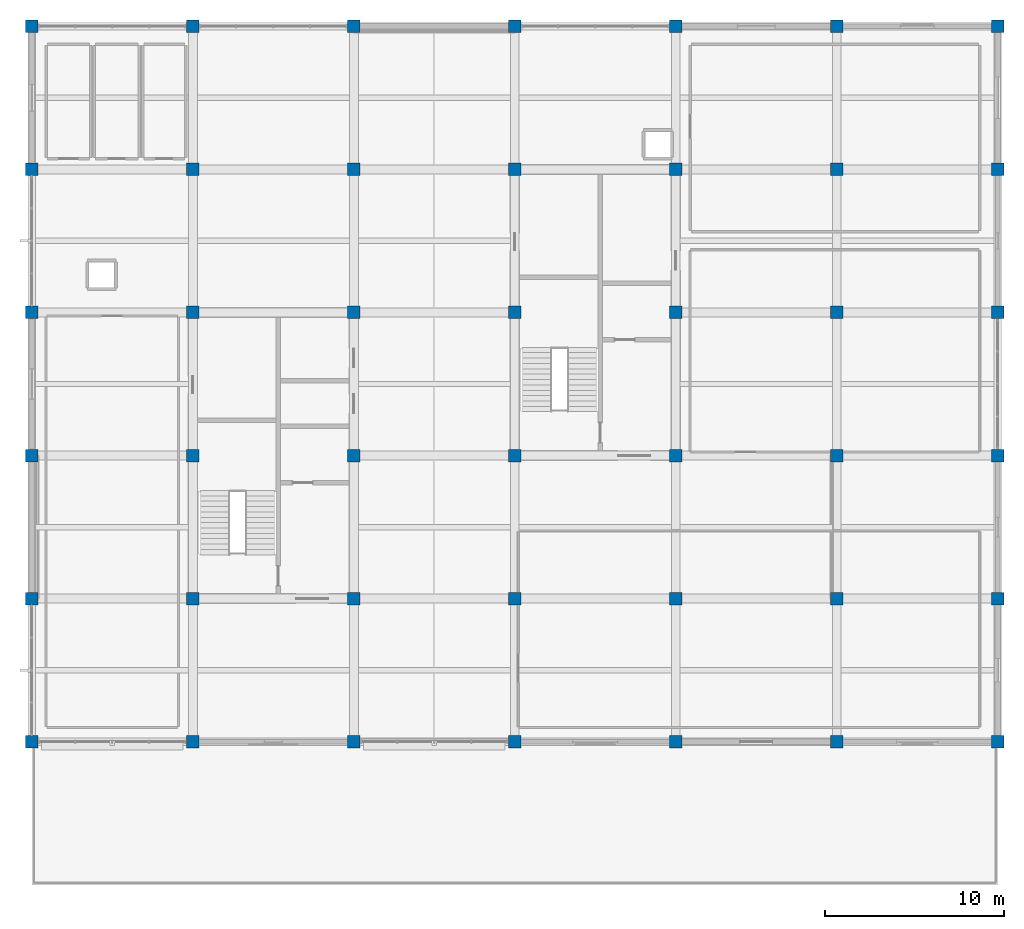
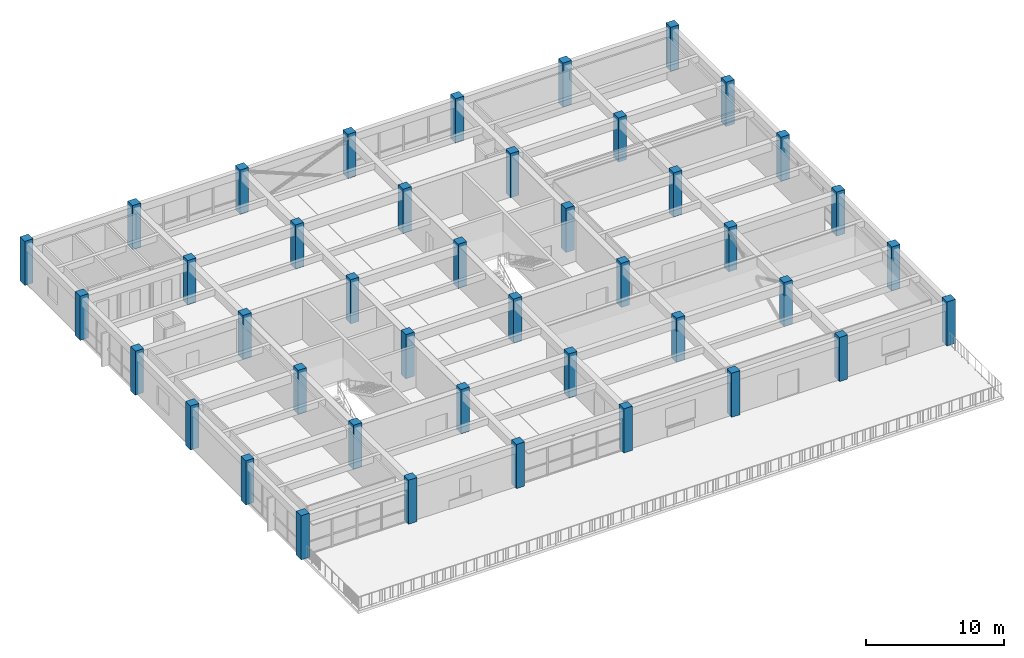
# One storey, part 1 of 14: 42 columns.
"""IFC4 building model written with IfcOpenShell, lengths in metres."""

from ifc_helpers import new_model, si_unit, direction, frame, origin, origin_2d, place, context, subcontext, project, spatial, rectangle, extrude, material, material_profile, profile_set, type_object, element, save


model = new_model("IFC4")

# Units and contexts
model_context = context("Model", 3, precision=1e-05, world=origin(), true_north=direction((0.0, 1.0)))
body_context = subcontext(model_context, "Body", "Model", "MODEL_VIEW")
ifc_project = project(units=[si_unit("LENGTHUNIT", "METRE"), si_unit("AREAUNIT", "SQUARE_METRE"), si_unit("VOLUMEUNIT", "CUBIC_METRE"), si_unit("PLANEANGLEUNIT", "RADIAN"), si_unit("MASSUNIT", "GRAM", prefix="KILO")], contexts=[model_context])

# Site, building, storey
site_placement = place(None, origin())
site = spatial("IfcSite", under=ifc_project, at=site_placement, CompositionType="ELEMENT")
building_placement = place(site_placement, origin())
building = spatial("IfcBuilding", under=site, at=building_placement, Name="Zaverband Oceanarium and Marine Research Institute", CompositionType="ELEMENT")
storey_placement = place(building_placement, frame((0.0, 0.0, 57.0)))
storey = spatial("IfcBuildingStorey", under=building, at=storey_placement, Name="L14", CompositionType="ELEMENT", Elevation=57.0)

# Columns
ifc_material = material(Name="Concrete C50/60", Category="concrete")
ifc_material_profile = material_profile(ifc_material, rectangle(XDim=0.699951171875, YDim=0.699951171875, at=origin_2d()), Name="RC700x700")
ifc_profile_set = profile_set([ifc_material_profile], Name="Concrete C50/60")
column_type = type_object("IfcColumnType", Name="COL-C700", PredefinedType="COLUMN", material=ifc_profile_set)
for number, where, z_axis, x_axis, name in (
    (1, (9.0, 72.0, 0.0), (0.0, 0.0, 1.0), (1.0, 0.0, 0.0), "Reinforced concrete column RC700x700 COL-C700"),
    (2, (9.0, 80.0, 0.0), (0.0, 0.0, 1.0), (1.0, 0.0, 0.0), "Reinforced concrete column RC700x700 COL-C700"),
    (3, (9.0, 88.0, 0.0), (0.0, 0.0, 1.0), (1.0, 0.0, 0.0), "Reinforced concrete column RC700x700 COL-C700"),
    (4, (9.0, 96.0, 0.0), (0.0, 0.0, 1.0), (1.0, 0.0, 0.0), "Reinforced concrete column RC700x700 COL-C700"),
    (5, (9.0, 104.0, 0.0), (0.0, 0.0, 1.0), (1.0, 0.0, 0.0), "Reinforced concrete column RC700x700 COL-C700"),
    (6, (9.0, 112.0, 0.0), (0.0, 0.0, 1.0), (1.0, 0.0, 0.0), "Reinforced concrete column RC700x700 COL-C700"),
    (7, (18.0, 72.0, 0.0), (0.0, 0.0, 1.0), (1.0, 0.0, 0.0), "Reinforced concrete column RC700x700 COL-C700"),
    (8, (18.0, 80.0, 0.0), (0.0, 0.0, 1.0), (1.0, 0.0, 0.0), "Reinforced concrete column RC700x700 COL-C700"),
    (9, (18.0, 88.0, 0.0), (0.0, 0.0, 1.0), (1.0, 0.0, 0.0), "Reinforced concrete column RC700x700 COL-C700"),
    (10, (18.0, 96.0, 0.0), (0.0, 0.0, 1.0), (1.0, 0.0, 0.0), "Reinforced concrete column RC700x700 COL-C700"),
    (11, (18.0, 104.0, 0.0), (0.0, 0.0, 1.0), (1.0, 0.0, 0.0), "Reinforced concrete column RC700x700 COL-C700"),
    (12, (18.0, 112.0, 0.0), (0.0, 0.0, 1.0), (1.0, 0.0, 0.0), "Reinforced concrete column RC700x700 COL-C700"),
    (13, (27.0, 72.0, 0.0), (0.0, 0.0, 1.0), (1.0, 0.0, 0.0), "Reinforced concrete column RC700x700 COL-C700"),
    (14, (27.0, 80.0, 0.0), (0.0, 0.0, 1.0), (1.0, 0.0, 0.0), "Reinforced concrete column RC700x700 COL-C700"),
    (15, (27.0, 88.0, 0.0), (0.0, 0.0, 1.0), (1.0, 0.0, 0.0), "Reinforced concrete column RC700x700 COL-C700"),
    (16, (27.0, 96.0, 0.0), (0.0, 0.0, 1.0), (1.0, 0.0, 0.0), "Reinforced concrete column RC700x700 COL-C700"),
    (17, (27.0, 104.0, 0.0), (0.0, 0.0, 1.0), (1.0, 0.0, 0.0), "Reinforced concrete column RC700x700 COL-C700"),
    (18, (27.0, 112.0, 0.0), (0.0, 0.0, 1.0), (1.0, 0.0, 0.0), "Reinforced concrete column RC700x700 COL-C700"),
    (19, (36.0, 72.0, 0.0), (0.0, 0.0, 1.0), (1.0, 0.0, 0.0), "Reinforced concrete column RC700x700 COL-C700"),
    (20, (36.0, 80.0, 0.0), (0.0, 0.0, 1.0), (1.0, 0.0, 0.0), "Reinforced concrete column RC700x700 COL-C700"),
    (21, (36.0, 88.0, 0.0), (0.0, 0.0, 1.0), (1.0, 0.0, 0.0), "Reinforced concrete column RC700x700 COL-C700"),
    (22, (36.0, 96.0, 0.0), (0.0, 0.0, 1.0), (1.0, 0.0, 0.0), "Reinforced concrete column RC700x700 COL-C700"),
    (23, (36.0, 104.0, 0.0), (0.0, 0.0, 1.0), (1.0, 0.0, 0.0), "Reinforced concrete column RC700x700 COL-C700"),
    (24, (36.0, 112.0, 0.0), (0.0, 0.0, 1.0), (1.0, 0.0, 0.0), "Reinforced concrete column RC700x700 COL-C700"),
    (25, (45.0, 72.0, 0.0), (0.0, 0.0, 1.0), (1.0, 0.0, 0.0), "Reinforced concrete column RC700x700 COL-C700"),
    (26, (45.0, 80.0, 0.0), (0.0, 0.0, 1.0), (1.0, 0.0, 0.0), "Reinforced concrete column RC700x700 COL-C700"),
    (27, (45.0, 88.0, 0.0), (0.0, 0.0, 1.0), (1.0, 0.0, 0.0), "Reinforced concrete column RC700x700 COL-C700"),
    (28, (45.0, 96.0, 0.0), (0.0, 0.0, 1.0), (1.0, 0.0, 0.0), "Reinforced concrete column RC700x700 COL-C700"),
    (29, (45.0, 104.0, 0.0), (0.0, 0.0, 1.0), (1.0, 0.0, 0.0), "Reinforced concrete column RC700x700 COL-C700"),
    (30, (45.0, 112.0, 0.0), (0.0, 0.0, 1.0), (1.0, 0.0, 0.0), "Reinforced concrete column RC700x700 COL-C700"),
    (31, (54.0, 72.0, 0.0), (0.0, 0.0, 1.0), (1.0, 0.0, 0.0), "Reinforced concrete column RC700x700 COL-C700"),
    (32, (54.0, 80.0, 0.0), (0.0, 0.0, 1.0), (1.0, 0.0, 0.0), "Reinforced concrete column RC700x700 COL-C700"),
    (33, (54.0, 88.0, 0.0), (0.0, 0.0, 1.0), (1.0, 0.0, 0.0), "Reinforced concrete column RC700x700 COL-C700"),
    (34, (54.0, 96.0, 0.0), (0.0, 0.0, 1.0), (1.0, 0.0, 0.0), "Reinforced concrete column RC700x700 COL-C700"),
    (35, (54.0, 104.0, 0.0), (0.0, 0.0, 1.0), (1.0, 0.0, 0.0), "Reinforced concrete column RC700x700 COL-C700"),
    (36, (54.0, 112.0, 0.0), (0.0, 0.0, 1.0), (1.0, 0.0, 0.0), "Reinforced concrete column RC700x700 COL-C700"),
    (37, (63.0, 72.0, 0.0), (0.0, 0.0, 1.0), (1.0, 0.0, 0.0), "Reinforced concrete column RC700x700 COL-C700"),
    (38, (63.0, 80.0, 0.0), (0.0, 0.0, 1.0), (1.0, 0.0, 0.0), "Reinforced concrete column RC700x700 COL-C700"),
    (39, (63.0, 88.0, 0.0), (0.0, 0.0, 1.0), (1.0, 0.0, 0.0), "Reinforced concrete column RC700x700 COL-C700"),
    (40, (63.0, 96.0, 0.0), (0.0, 0.0, 1.0), (1.0, 0.0, 0.0), "Reinforced concrete column RC700x700 COL-C700"),
    (41, (63.0, 104.0, 0.0), (0.0, 0.0, 1.0), (1.0, 0.0, 0.0), "Reinforced concrete column RC700x700 COL-C700"),
    (42, (63.0, 112.0, 0.0), (0.0, 0.0, 1.0), (1.0, 0.0, 0.0), "Reinforced concrete column RC700x700 COL-C700"),
):
    element("IfcColumn", number, at=place(storey_placement, frame(where, z_axis=z_axis, x_axis=x_axis)), inside=storey, type_object=column_type, Name=name, PredefinedType="COLUMN", context=body_context, shape_type="SweptSolid", body=[
        extrude(rectangle(XDim=0.699951171875, YDim=0.699951171875, at=origin_2d()), origin(), (0.0, 0.0, 1.0), 3.89990234375),
    ])

save(model, "model.ifc")
